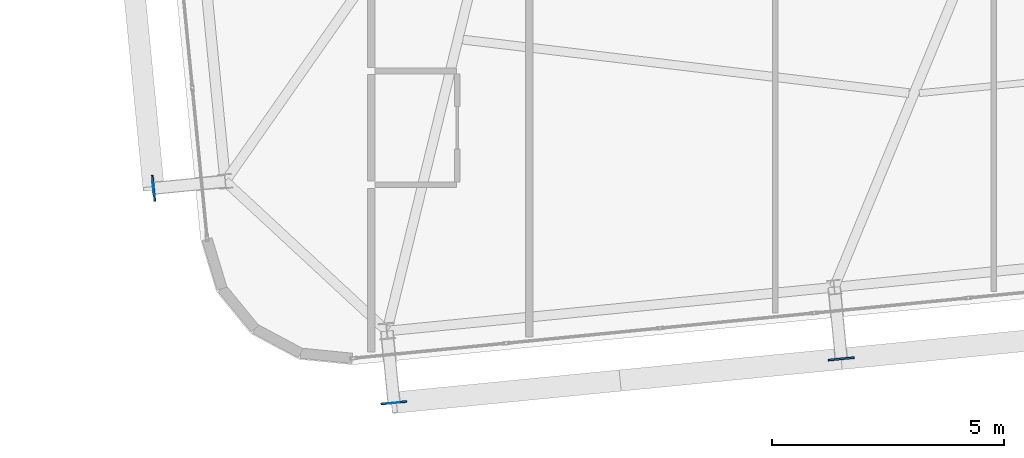
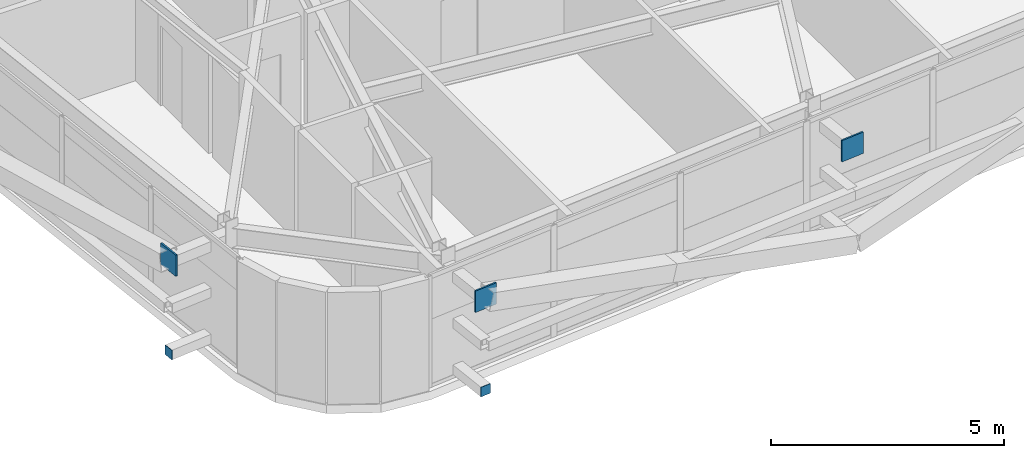
# One storey, part 38 of 54: 5 plates.
"""IFC4 building model written with IfcOpenShell, lengths in metres."""

from ifc_helpers import new_model, si_unit, direction, frame, origin, origin_2d, place, context, subcontext, project, spatial, rectangle, extrude, source, transform, mapped, material, layer, layer_set, type_object, element, save


model = new_model("IFC4")

# Units and contexts
model_context = context("Model", 3, precision=1e-05, world=origin(), true_north=direction((0.0, 1.0)))
body_context = subcontext(model_context, "Body", "Model", "MODEL_VIEW")
ifc_project = project(units=[si_unit("LENGTHUNIT", "METRE"), si_unit("AREAUNIT", "SQUARE_METRE"), si_unit("VOLUMEUNIT", "CUBIC_METRE"), si_unit("PLANEANGLEUNIT", "RADIAN"), si_unit("MASSUNIT", "GRAM", prefix="KILO")], contexts=[model_context])

# Site, building, storey
site_placement = place(None, origin())
site = spatial("IfcSite", under=ifc_project, at=site_placement, CompositionType="ELEMENT")
building_placement = place(site_placement, origin())
building = spatial("IfcBuilding", under=site, at=building_placement, Name="Taldren Reach Tower", CompositionType="ELEMENT")
storey_placement = place(building_placement, frame((0.0, 0.0, 102.89990234375)))
storey = spatial("IfcBuildingStorey", under=building, at=storey_placement, Name="L31", CompositionType="ELEMENT", Elevation=102.89990234375)

# Plates
ifc_material_1 = material(Name="Steel Gr 450 (C450L0)", Category="steel")
ifc_layer_1 = layer(ifc_material_1, 0.0400390625)
ifc_layer_set_1 = layer_set([ifc_layer_1], Name="Steel Gr 450 (C450L0)")
plate_type_1 = type_object("IfcPlateType", Name="PL-GUSSET-40", PredefinedType="SHEET", material=ifc_layer_set_1)
shared_shape_1 = source(origin(), body_context, "Body", "SweptSolid", [
    extrude(rectangle(XDim=0.56005859375, YDim=0.0400390625, at=origin_2d()), origin(), (0.0, 0.0, 1.0), 0.56005859375),
])
for number, where, z_axis, x_axis, name in (
    (1, (15.08544921875, -1.62255859375, 2.3701171875), (0.0, 0.0, 1.0), (0.995227399982, 0.097582899759, 0.0), "Exoskeleton star-node gusset plate B2-S1 L31"),
    (2, (24.71923828125, -0.677978515625, 2.3701171875), (0.0, 0.0, 1.0), (0.995227399982, 0.097582899759, 0.0), "Exoskeleton star-node gusset plate B2-S2 L31"),
    (3, (9.91015625, 2.99462890625, 2.3701171875), (0.0, 0.0, 1.0), (-0.097582899759, 0.995227399982, 0.0), "Exoskeleton star-node gusset plate B2-W1 L31"),
):
    element("IfcPlate", number, at=place(storey_placement, frame(where, z_axis=z_axis, x_axis=x_axis)), inside=storey, type_object=plate_type_1, Name=name, PredefinedType="SHEET", context=body_context, shape_type="MappedRepresentation", body=[
        mapped(shared_shape_1, transform((0.0, 0.0, 0.0), scale=1.0)),
    ])
ifc_material_2 = material(Name="Steel Gr 350 (C350L0)", Category="steel")
ifc_layer_2 = layer(ifc_material_2, 0.011962890625)
ifc_layer_set_2 = layer_set([ifc_layer_2], Name="Steel Gr 350 (C350L0)")
plate_type_2 = type_object("IfcPlateType", Name="PL-CAP-250", PredefinedType="SHEET", material=ifc_layer_set_2)
shared_shape_2 = source(origin(), body_context, "Body", "SweptSolid", [
    extrude(rectangle(XDim=0.25, YDim=0.011962890625, at=origin_2d()), origin(), (0.0, 0.0, 1.0), 0.25),
])
plate_1_placement = place(storey_placement, frame((15.0859375, -1.62841796875, 0.09521484375), z_axis=(0.0, 0.0, 1.0), x_axis=(0.995227399982, 0.097582899759, 0.0)))
element("IfcPlate", 4, at=plate_1_placement, inside=storey, type_object=plate_type_2, Name="Tie strut end cap plate B2-S1 L31", PredefinedType="SHEET", context=body_context, shape_type="MappedRepresentation", body=[
    mapped(shared_shape_2, transform((0.0, 0.0, 0.0), scale=1.0)),
])
shared_shape_3 = source(origin(), body_context, "Body", "SweptSolid", [
    extrude(rectangle(XDim=0.011962890625, YDim=0.25, at=origin_2d()), origin(), (0.0, 0.0, 1.0), 0.25),
])
plate_2_placement = place(storey_placement, frame((9.904296875, 2.993896484375, 0.09521484375), z_axis=(0.0, 0.0, 1.0), x_axis=(0.995227399982, 0.097582899759, 0.0)))
element("IfcPlate", 5, at=plate_2_placement, inside=storey, type_object=plate_type_2, Name="Tie strut end cap plate B2-W1 L31", PredefinedType="SHEET", context=body_context, shape_type="MappedRepresentation", body=[
    mapped(shared_shape_3, transform((0.0, 0.0, 0.0), scale=1.0)),
])

save(model, "model.ifc")
